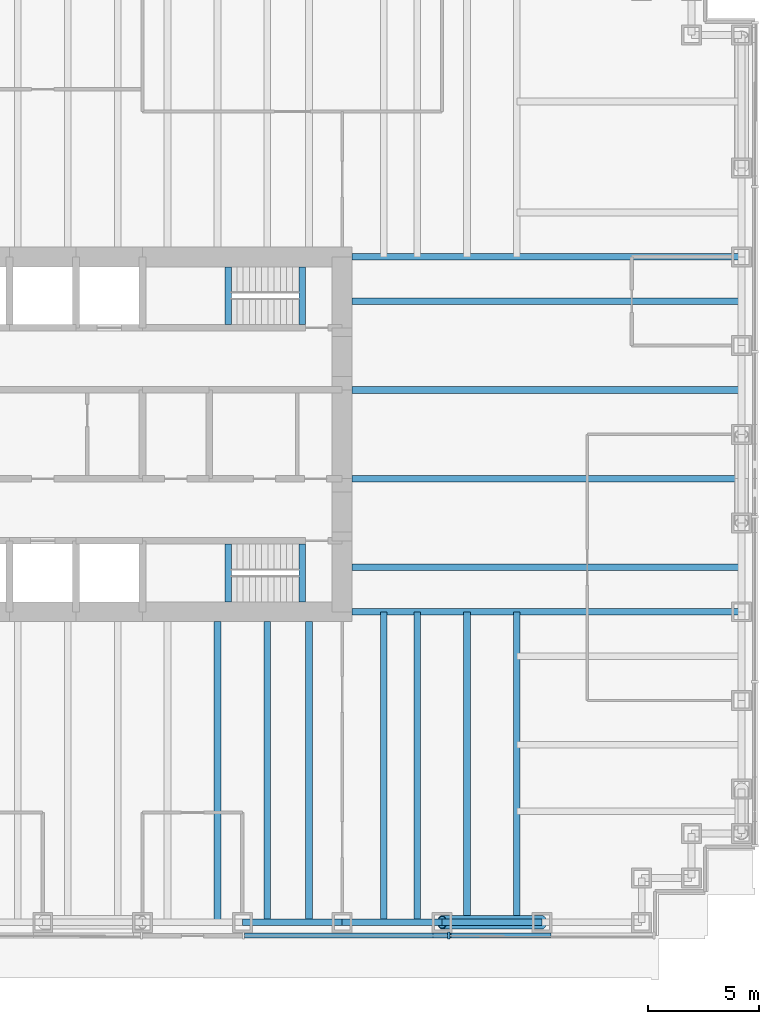
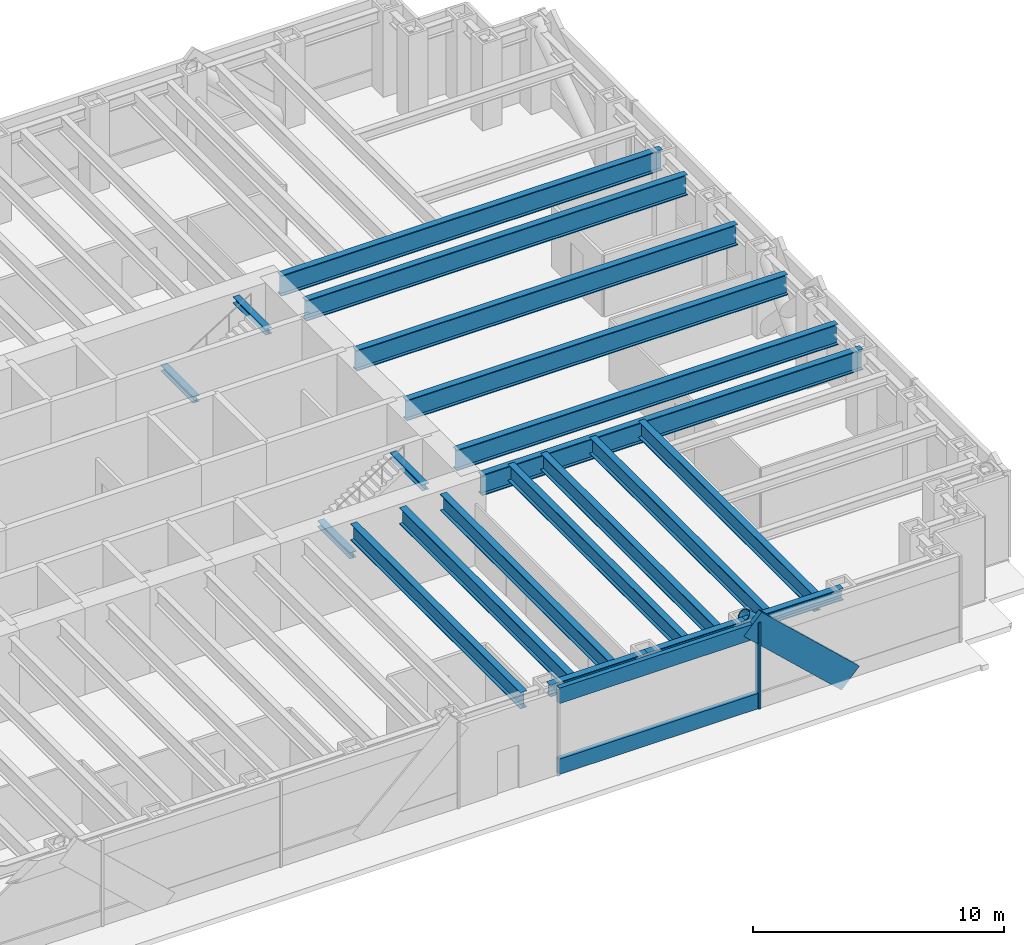
# One storey, part 3 of 14: 20 beams, 5 members, 1 element without a shape of its own.
"""IFC4 building model written with IfcOpenShell, lengths in metres."""

from ifc_helpers import new_model, si_unit, direction, frame, origin, origin_2d, place, context, subcontext, project, spatial, rectangle, hollow_circle, i_section, extrude, material, material_profile, profile_set, type_object, element, aggregate, save


model = new_model("IFC4")

# Units and contexts
model_context = context("Model", 3, precision=1e-05, world=origin(), true_north=direction((0.0, 1.0)))
body_context = subcontext(model_context, "Body", "Model", "MODEL_VIEW")
ifc_project = project(units=[si_unit("LENGTHUNIT", "METRE"), si_unit("AREAUNIT", "SQUARE_METRE"), si_unit("VOLUMEUNIT", "CUBIC_METRE"), si_unit("PLANEANGLEUNIT", "RADIAN"), si_unit("MASSUNIT", "GRAM", prefix="KILO")], contexts=[model_context])

# Site, building, storey
site_placement = place(None, origin())
site = spatial("IfcSite", under=ifc_project, at=site_placement, CompositionType="ELEMENT")
building_placement = place(site_placement, origin())
building = spatial("IfcBuilding", under=site, at=building_placement, Name="Rheinbord Bourse Tower", CompositionType="ELEMENT")
storey_placement = place(building_placement, frame((0.0, 0.0, 100.5)))
storey = spatial("IfcBuildingStorey", under=building, at=storey_placement, Name="L21", CompositionType="ELEMENT", Elevation=100.5)

# Curtain wall, members
ifc_material_1 = material(Name="Dark glass and black aluminium", Category="aluminium")
curtain_wall_type = type_object("IfcCurtainWallType", Name="CW6 DARK GLASS CURTAIN WALL", PredefinedType="USERDEFINED", material=ifc_material_1)
curtain_wall_placement = place(storey_placement, origin())
curtain_wall = element("IfcCurtainWall", 1, at=curtain_wall_placement, inside=storey, type_object=curtain_wall_type, Name="Curtain wall CW6 S L21", ObjectType="UNITISED CURTAIN WALL", PredefinedType="USERDEFINED")
ifc_material_2 = material(Name="Black anodised aluminium", Category="aluminium")
ifc_material_profile_1 = material_profile(ifc_material_2, rectangle(XDim=0.219970703125, YDim=1.2099609375, at=origin_2d()), Name="CW6 DIAGONAL MULLION 1210x220")
ifc_profile_set_1 = profile_set([ifc_material_profile_1], Name="Black anodised aluminium")
member_type_1 = type_object("IfcMemberType", Name="CW6 BLACK DIAGONAL MULLION", PredefinedType="USERDEFINED", material=ifc_profile_set_1)
member_1_placement = place(storey_placement, frame((63.0, 1.39990234375, 0.0), z_axis=(-0.73105922506, 0.0, 0.682314010889), x_axis=(0.0, -1.0, 0.0)))
member_1 = element("IfcMember", 2, at=member_1_placement, type_object=member_type_1, Name="CW6 diagonal mullion d", ObjectType="DIAGONAL MULLION", PredefinedType="USERDEFINED", context=body_context, shape_type="SweptSolid", body=[
    extrude(rectangle(XDim=0.219970703125, YDim=1.2099609375, at=origin_2d()), origin(), (0.0, 0.0, 1.0), 6.155517578125),
])
ifc_material_3 = material(Name="Black anodised aluminium", Category="aluminium")
ifc_material_profile_2 = material_profile(ifc_material_3, rectangle(XDim=0.320068359375, YDim=0.10009765625, at=origin_2d()), Name="CW6 MULLION 100x320")
ifc_profile_set_2 = profile_set([ifc_material_profile_2], Name="Black anodised aluminium")
member_type_2 = type_object("IfcMemberType", Name="CW6 BLACK MULLION", PredefinedType="MULLION", material=ifc_profile_set_2)
member_2_placement = place(storey_placement, frame((58.800048828125, 1.39990234375, 0.0), z_axis=(0.0, 0.0, 1.0), x_axis=(0.0, 1.0, 0.0)))
member_2 = element("IfcMember", 3, at=member_2_placement, type_object=member_type_2, Name="CW6 mullion 2", PredefinedType="MULLION", context=body_context, shape_type="SweptSolid", body=[
    extrude(rectangle(XDim=0.320068359375, YDim=0.10009765625, at=origin_2d()), origin(), (0.0, 0.0, 1.0), 4.199951171875),
])
ifc_material_4 = material(Name="Black anodised aluminium", Category="aluminium")
ifc_material_profile_3 = material_profile(ifc_material_4, rectangle(XDim=0.219970703125, YDim=0.75, at=origin_2d()), Name="CW6 TRANSOM 750x220")
ifc_profile_set_3 = profile_set([ifc_material_profile_3], Name="Black anodised aluminium")
member_type_3 = type_object("IfcMemberType", Name="CW6 BLACK TRANSOM", PredefinedType="USERDEFINED", material=ifc_profile_set_3)
member_3_placement = place(storey_placement, frame((49.60009765625, 1.39990234375, 0.375), z_axis=(1.0, 0.0, 0.0), x_axis=(0.0, 1.0, 0.0)))
member_3 = element("IfcMember", 4, at=member_3_placement, type_object=member_type_3, Name="CW6 transom 1.1", ObjectType="TRANSOM", PredefinedType="USERDEFINED", context=body_context, shape_type="SweptSolid", body=[
    extrude(rectangle(XDim=0.219970703125, YDim=0.75, at=origin_2d()), origin(), (0.0, 0.0, 1.0), 9.14990234375),
])
member_4_placement = place(storey_placement, frame((49.60009765625, 1.39990234375, 3.824951171875), z_axis=(1.0, 0.0, 0.0), x_axis=(0.0, 1.0, 0.0)))
member_4 = element("IfcMember", 5, at=member_4_placement, type_object=member_type_3, Name="CW6 transom 1.2", ObjectType="TRANSOM", PredefinedType="USERDEFINED", context=body_context, shape_type="SweptSolid", body=[
    extrude(rectangle(XDim=0.219970703125, YDim=0.75, at=origin_2d()), origin(), (0.0, 0.0, 1.0), 9.14990234375),
])
aggregate(curtain_wall, [member_2, member_3, member_4, member_1])

# Beams
ifc_material_5 = material(Name="Steel S460", Category="steel")
ifc_material_profile_4 = material_profile(ifc_material_5, i_section(OverallWidth=0.302001953125, OverallDepth=1.008056640625, WebThickness=0.02099609375, FlangeThickness=0.0400390625, at=origin_2d()), Name="HEM 1000")
ifc_profile_set_4 = profile_set([ifc_material_profile_4], Name="Steel S460")
beam_type_1 = type_object("IfcBeamType", Name="END BEAM HEM 1000", PredefinedType="BEAM", material=ifc_profile_set_4)
for number, where, z_axis, x_axis, name in (
    (6, (54.449951171875, 18.0, 3.535888671875), (1.0, 0.0, 0.0), (0.0, 1.0, 0.0), "End beam east 18 L22"),
    (7, (54.449951171875, 22.0, 3.535888671875), (1.0, 0.0, 0.0), (0.0, 1.0, 0.0), "End beam east 22 L22"),
    (8, (54.449951171875, 26.0, 3.535888671875), (1.0, 0.0, 0.0), (0.0, 1.0, 0.0), "End beam east 26 L22"),
    (9, (54.449951171875, 30.0, 3.535888671875), (1.0, 0.0, 0.0), (0.0, 1.0, 0.0), "End beam east 30 L22"),
):
    element("IfcBeam", number, at=place(storey_placement, frame(where, z_axis=z_axis, x_axis=x_axis)), inside=storey, type_object=beam_type_1, Name=name, PredefinedType="BEAM", context=body_context, shape_type="SweptSolid", body=[
        extrude(i_section(OverallWidth=0.302001953125, OverallDepth=1.008056640625, WebThickness=0.02099609375, FlangeThickness=0.0400390625, at=origin_2d()), origin(), (0.0, 0.0, 1.0), 17.550048828125),
    ])
ifc_material_6 = material(Name="Steel S460", Category="steel")
ifc_material_profile_5 = material_profile(ifc_material_6, i_section(OverallWidth=0.300048828125, OverallDepth=0.800048828125, WebThickness=0.017578125, FlangeThickness=0.032958984375, at=origin_2d()), Name="HEB 800")
ifc_profile_set_5 = profile_set([ifc_material_profile_5], Name="Steel S460")
beam_type_2 = type_object("IfcBeamType", Name="FLOOR BEAM HEB 800", PredefinedType="BEAM", material=ifc_profile_set_5)
for number, where, z_axis, x_axis, name in (
    (10, (48.375, 2.0, 3.639892578125), (0.0, 1.0, 0.0), (-1.0, 0.0, 0.0), "Floor beam S-45b L22"),
    (11, (50.625, 2.0, 3.639892578125), (0.0, 1.0, 0.0), (-1.0, 0.0, 0.0), "Floor beam S-49.5a L22"),
    (12, (52.5, 2.0, 3.639892578125), (0.0, 1.0, 0.0), (-1.0, 0.0, 0.0), "Floor beam S-49.5b L22"),
):
    element("IfcBeam", number, at=place(storey_placement, frame(where, z_axis=z_axis, x_axis=x_axis)), inside=storey, type_object=beam_type_2, Name=name, PredefinedType="BEAM", context=body_context, shape_type="SweptSolid", body=[
        extrude(i_section(OverallWidth=0.300048828125, OverallDepth=0.800048828125, WebThickness=0.017578125, FlangeThickness=0.032958984375, at=origin_2d()), origin(), (0.0, 0.0, 1.0), 13.550048828125),
    ])
for number, where, z_axis, x_axis, name in (
    (13, (55.875, 2.0, 3.639892578125), (0.0, 1.0, 0.0), (-1.0, 0.0, 0.0), "Floor beam S-54a L22"),
    (14, (57.375, 2.0, 3.639892578125), (0.0, 1.0, 0.0), (-1.0, 0.0, 0.0), "Floor beam S-54b L22"),
    (15, (59.625, 2.0, 3.639892578125), (0.0, 1.0, 0.0), (-1.0, 0.0, 0.0), "Floor beam S-58.5a L22"),
    (16, (61.875, 2.0, 3.639892578125), (0.0, 1.0, 0.0), (-1.0, 0.0, 0.0), "Floor beam S-58.5b L22"),
):
    element("IfcBeam", number, at=place(storey_placement, frame(where, z_axis=z_axis, x_axis=x_axis)), inside=storey, type_object=beam_type_2, Name=name, PredefinedType="BEAM", context=body_context, shape_type="SweptSolid", body=[
        extrude(i_section(OverallWidth=0.300048828125, OverallDepth=0.800048828125, WebThickness=0.017578125, FlangeThickness=0.032958984375, at=origin_2d()), origin(), (0.0, 0.0, 1.0), 14.0),
    ])
ifc_material_7 = material(Name="Steel S460", Category="steel")
ifc_material_profile_6 = material_profile(ifc_material_7, i_section(OverallWidth=0.302001953125, OverallDepth=1.008056640625, WebThickness=0.02099609375, FlangeThickness=0.0400390625, at=origin_2d()), Name="HEM 1000")
ifc_profile_set_6 = profile_set([ifc_material_profile_6], Name="Steel S460")
beam_type_3 = type_object("IfcBeamType", Name="GIRDER HEM 1000", PredefinedType="BEAM", material=ifc_profile_set_6)
for number, where, z_axis, x_axis, name in (
    (17, (54.449951171875, 16.0, 3.535888671875), (1.0, 0.0, 0.0), (0.0, 1.0, 0.0), "Girder east 16 L22"),
    (18, (54.449951171875, 32.0, 3.535888671875), (1.0, 0.0, 0.0), (0.0, 1.0, 0.0), "Girder east 32 L22"),
):
    element("IfcBeam", number, at=place(storey_placement, frame(where, z_axis=z_axis, x_axis=x_axis)), inside=storey, type_object=beam_type_3, Name=name, PredefinedType="BEAM", context=body_context, shape_type="SweptSolid", body=[
        extrude(i_section(OverallWidth=0.302001953125, OverallDepth=1.008056640625, WebThickness=0.02099609375, FlangeThickness=0.0400390625, at=origin_2d()), origin(), (0.0, 0.0, 1.0), 17.550048828125),
    ])
ifc_material_8 = material(Name="Steel S460", Category="steel")
ifc_material_profile_7 = material_profile(ifc_material_8, i_section(OverallWidth=0.300048828125, OverallDepth=0.300048828125, WebThickness=0.010986328125, FlangeThickness=0.01904296875, at=origin_2d()), Name="HEB 300")
ifc_profile_set_7 = profile_set([ifc_material_profile_7], Name="Steel S460")
beam_type_4 = type_object("IfcBeamType", Name="LANDING TRIMMER HEB 300", PredefinedType="BEAM", material=ifc_profile_set_7)
for number, where, z_axis, x_axis, name in (
    (19, (48.8701171875, 16.449951171875, 1.75), (0.0, 1.0, 0.0), (-1.0, 0.0, 0.0), "Landing trimmer ST3 L21"),
    (20, (52.199951171875, 16.449951171875, 3.889892578125), (0.0, 1.0, 0.0), (-1.0, 0.0, 0.0), "Well trimmer ST3 under L22"),
    (21, (48.8701171875, 28.949951171875, 1.75), (0.0, 1.0, 0.0), (-1.0, 0.0, 0.0), "Landing trimmer ST4 L21"),
    (22, (52.199951171875, 28.949951171875, 3.889892578125), (0.0, 1.0, 0.0), (-1.0, 0.0, 0.0), "Well trimmer ST4 under L22"),
):
    element("IfcBeam", number, at=place(storey_placement, frame(where, z_axis=z_axis, x_axis=x_axis)), inside=storey, type_object=beam_type_4, Name=name, PredefinedType="BEAM", context=body_context, shape_type="SweptSolid", body=[
        extrude(i_section(OverallWidth=0.300048828125, OverallDepth=0.300048828125, WebThickness=0.010986328125, FlangeThickness=0.01904296875, at=origin_2d()), origin(), (0.0, 0.0, 1.0), 2.60009765625),
    ])

# Member
ifc_material_9 = material(Name="Steel S460", Category="steel")
ifc_material_profile_8 = material_profile(ifc_material_9, hollow_circle(Radius=0.304931640625, WallThickness=0.0400390625, at=origin_2d()), Name="CHS 610x40")
ifc_profile_set_8 = profile_set([ifc_material_profile_8], Name="Steel S460")
member_type_4 = type_object("IfcMemberType", Name="MEGABRACE CHS 610x40", PredefinedType="BRACE", material=ifc_profile_set_8)
member_5_placement = place(storey_placement, frame((63.0, 2.0, 0.0), z_axis=(-0.73105922506, 0.0, 0.682314010889), x_axis=(0.0, -1.0, 0.0)))
element("IfcMember", 23, at=member_5_placement, inside=storey, type_object=member_type_4, Name="Megabrace S face line d L21", PredefinedType="BRACE", context=body_context, shape_type="SweptSolid", body=[
    extrude(hollow_circle(Radius=0.304931640625, WallThickness=0.0400390625, at=origin_2d()), origin(), (0.0, 0.0, 1.0), 6.155517578125),
])

# Beams
ifc_material_10 = material(Name="Steel S460", Category="steel")
ifc_material_profile_9 = material_profile(ifc_material_10, i_section(OverallWidth=0.305908203125, OverallDepth=0.572021484375, WebThickness=0.02099609375, FlangeThickness=0.0400390625, at=origin_2d()), Name="HEM 550")
ifc_profile_set_9 = profile_set([ifc_material_profile_9], Name="Steel S460")
beam_type_5 = type_object("IfcBeamType", Name="SPANDREL HEM 550", PredefinedType="SPANDREL", material=ifc_profile_set_9)
for number, where, z_axis, x_axis, name in (
    (24, (49.5, 2.0, 3.75390625), (1.0, 0.0, 0.0), (0.0, 1.0, 0.0), "Spandrel S-49.5-S-54 under L22"),
    (25, (54.0, 2.0, 3.75390625), (1.0, 0.0, 0.0), (0.0, 1.0, 0.0), "Spandrel S-54-S-58.5 under L22"),
    (26, (58.5, 2.0, 3.75390625), (1.0, 0.0, 0.0), (0.0, 1.0, 0.0), "Spandrel S-58.5-S-63 under L22"),
):
    element("IfcBeam", number, at=place(storey_placement, frame(where, z_axis=z_axis, x_axis=x_axis)), inside=storey, type_object=beam_type_5, Name=name, PredefinedType="SPANDREL", context=body_context, shape_type="SweptSolid", body=[
        extrude(i_section(OverallWidth=0.305908203125, OverallDepth=0.572021484375, WebThickness=0.02099609375, FlangeThickness=0.0400390625, at=origin_2d()), origin(), (0.0, 0.0, 1.0), 4.5),
    ])

save(model, "model.ifc")
